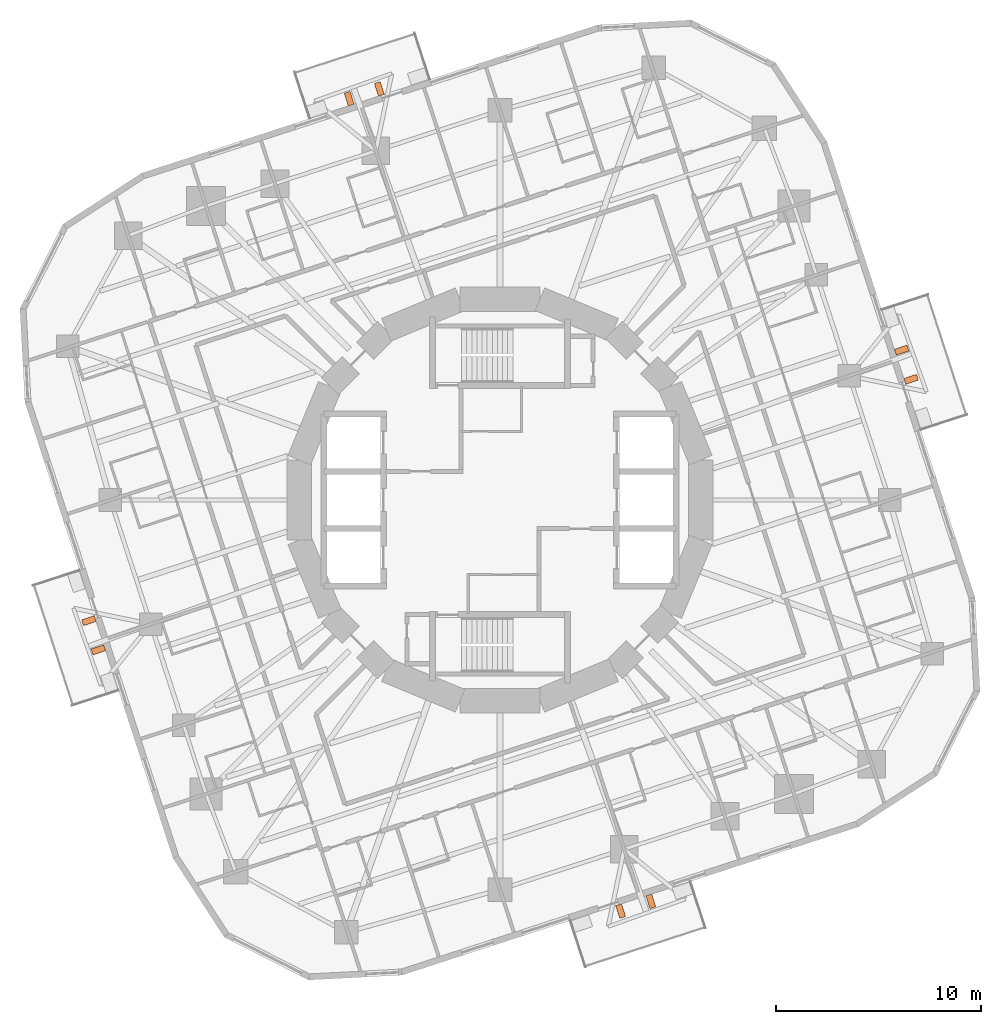
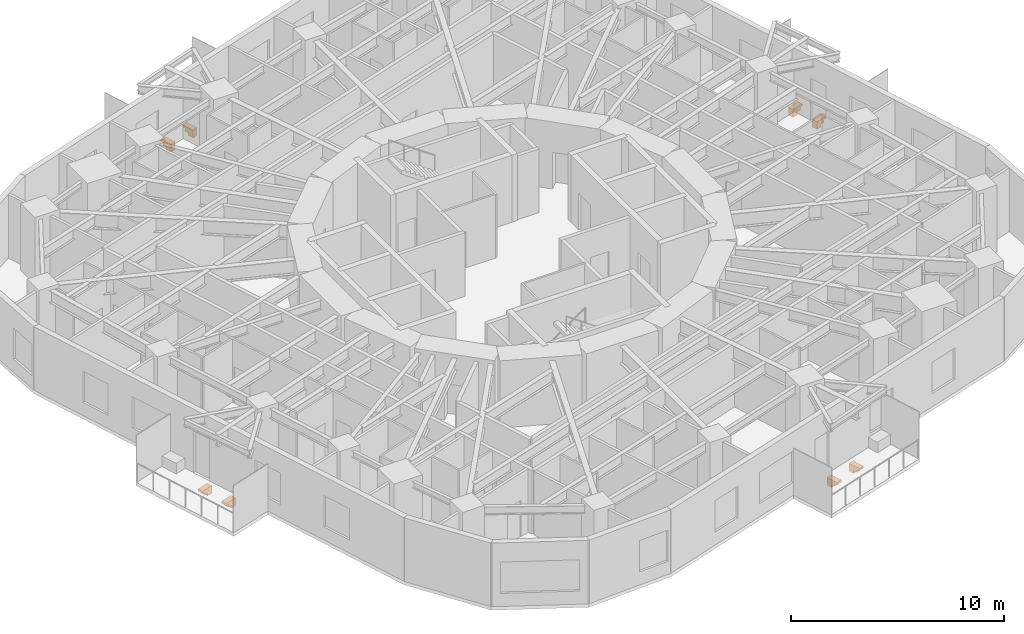
# One storey, part 12 of 12: 8 proxies.
"""IFC4 building model written with IfcOpenShell, lengths in metres."""

from ifc_helpers import new_model, si_unit, direction, frame, origin, place, context, subcontext, project, spatial, polyline, outline, extrude, material, type_object, element, save


model = new_model("IFC4")

# Units and contexts
model_context = context("Model", 3, precision=1e-05, world=origin(), true_north=direction((0.0, 1.0)))
body_context = subcontext(model_context, "Body", "Model", "MODEL_VIEW")
ifc_project = project(units=[si_unit("LENGTHUNIT", "METRE"), si_unit("AREAUNIT", "SQUARE_METRE"), si_unit("VOLUMEUNIT", "CUBIC_METRE"), si_unit("PLANEANGLEUNIT", "RADIAN"), si_unit("MASSUNIT", "GRAM", prefix="KILO")], contexts=[model_context])

# Site, building, storey
site_placement = place(None, origin())
site = spatial("IfcSite", under=ifc_project, at=site_placement, CompositionType="ELEMENT")
building_placement = place(site_placement, origin())
building = spatial("IfcBuilding", under=site, at=building_placement, Name="Nakasero Lantern House", CompositionType="ELEMENT")
storey_placement = place(building_placement, frame((0.0, 0.0, 168.75)))
storey = spatial("IfcBuildingStorey", under=building, at=storey_placement, Name="L41", CompositionType="ELEMENT", Elevation=168.75)

# Proxies
ifc_material = material(Name="Concrete C40/50 precast", Category="concrete")
building_element_proxy_type = type_object("IfcBuildingElementProxyType", Name="Balcony bracket 300", PredefinedType="USERDEFINED", material=ifc_material)
for number, where, z_axis, x_axis, name in (
    (1, (19.777099609375, 5.795166015625, -0.199951171875), (0.0, 0.0, 1.0), (0.951056516, 0.309016994, 0.0), "Balcony bracket L41 0A"),
    (2, (19.313720703125, 7.2216796875, -0.199951171875), (0.0, 0.0, 1.0), (0.951056516, 0.309016994, 0.0), "Balcony bracket L41 0B"),
    (3, (-5.795166015625, 19.777099609375, -0.199951171875), (0.0, 0.0, 1.0), (-0.309016994, 0.951056516, 0.0), "Balcony bracket L41 1A"),
    (4, (-7.269287109375, 19.298095703125, -0.199951171875), (0.0, 0.0, 1.0), (-0.309016994, 0.951056516, 0.0), "Balcony bracket L41 1B"),
    (5, (-19.777099609375, -5.795166015625, -0.199951171875), (0.0, 0.0, 1.0), (-0.951056516, -0.309016994, 0.0), "Balcony bracket L41 2A"),
    (6, (-19.313720703125, -7.2216796875, -0.199951171875), (0.0, 0.0, 1.0), (-0.951056516, -0.309016994, 0.0), "Balcony bracket L41 2B"),
    (7, (5.795166015625, -19.777099609375, -0.199951171875), (0.0, 0.0, 1.0), (0.309016994, -0.951056516, 0.0), "Balcony bracket L41 3A"),
    (8, (7.269287109375, -19.298095703125, -0.199951171875), (0.0, 0.0, 1.0), (0.309016994, -0.951056516, 0.0), "Balcony bracket L41 3B"),
):
    element("IfcBuildingElementProxy", number, at=place(storey_placement, frame(where, z_axis=z_axis, x_axis=x_axis)), inside=storey, type_object=building_element_proxy_type, Name=name, ObjectType="BALCONY BRACKET", PredefinedType="USERDEFINED", context=body_context, shape_type="SweptSolid", body=[
        extrude(outline(polyline([(0.0, 0.0), (0.64990234375, 0.0), (0.64990234375, -0.1201171875), (0.5, -0.1201171875), (0.5, -0.280029296875), (0.300048828125, -0.280029296875), (0.300048828125, -0.43994140625), (0.0, -0.43994140625), (0.0, 0.0)])), frame((0.0, 0.14990234375, 0.0), z_axis=(0.0, -1.0, 0.0), x_axis=(1.0, 0.0, 0.0)), (0.0, 0.0, 1.0), 0.300048828125),
    ])

save(model, "model.ifc")
